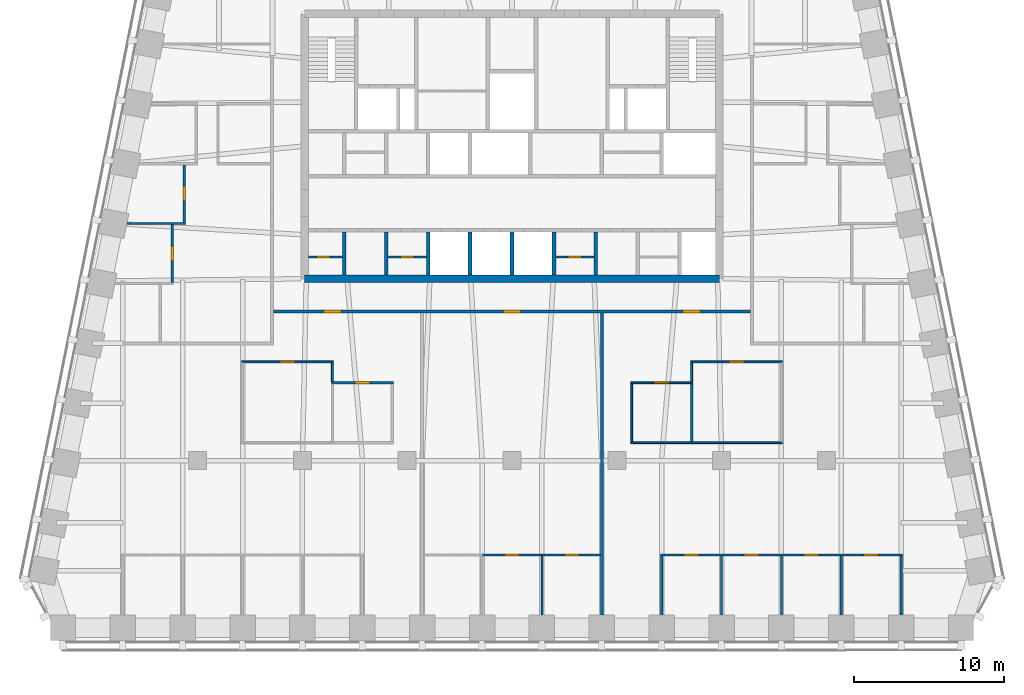
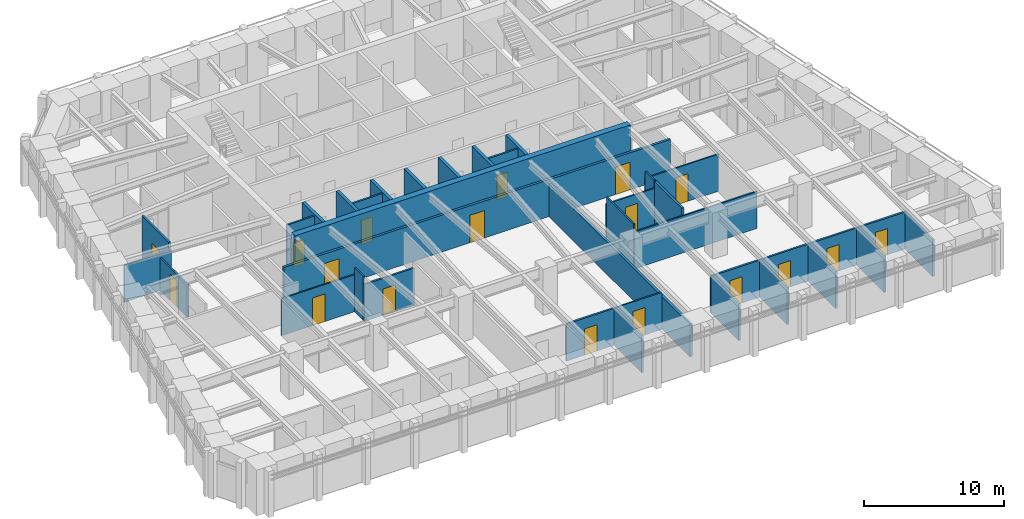
# One storey, part 6 of 11: 34 walls, 18 doors, 18 openings.
"""IFC4 building model written with IfcOpenShell, lengths in metres."""

from ifc_helpers import new_model, si_unit, direction, frame, frame_2d, origin, place, context, subcontext, project, spatial, rectangle, extrude, material, layer, layer_set, type_object, element, fill, save


model = new_model("IFC4")

# Units and contexts
model_context = context("Model", 3, precision=1e-05, world=origin(), true_north=direction((0.0, 1.0)))
body_context = subcontext(model_context, "Body", "Model", "MODEL_VIEW")
ifc_project = project(units=[si_unit("LENGTHUNIT", "METRE"), si_unit("AREAUNIT", "SQUARE_METRE"), si_unit("VOLUMEUNIT", "CUBIC_METRE"), si_unit("PLANEANGLEUNIT", "RADIAN"), si_unit("MASSUNIT", "GRAM", prefix="KILO")], contexts=[model_context])

# Site, building, storey
site_placement = place(None, origin())
site = spatial("IfcSite", under=ifc_project, at=site_placement, CompositionType="ELEMENT")
building_placement = place(site_placement, origin())
building = spatial("IfcBuilding", under=site, at=building_placement, Name="Isbrekke Arena Tower", CompositionType="ELEMENT")
storey_placement = place(building_placement, frame((0.0, 0.0, 248.0)))
storey = spatial("IfcBuildingStorey", under=building, at=storey_placement, Name="L57", CompositionType="ELEMENT", Elevation=248.0)

# Walls
ifc_material_1 = material(Name="Concrete B55 (C55/67)", Category="concrete")
ifc_layer_1 = layer(ifc_material_1, 0.5)
ifc_layer_set_1 = layer_set([ifc_layer_1], Name="CW5 CORE WALL 500")
wall_type_1 = type_object("IfcWallType", Name="CW5 CORE WALL 500", PredefinedType="SHEAR", material=ifc_layer_set_1)
wall_1_placement = place(storey_placement, frame((-13.85009765625, 6.14990234375, 0.0), z_axis=(0.0, 0.0, 1.0), x_axis=(1.0, 0.0, 0.0)))
element("IfcWall", 1, at=wall_1_placement, inside=storey, type_object=wall_type_1, Name="Core wall S L57", PredefinedType="SHEAR", context=body_context, shape_type="SweptSolid", body=[
    extrude(rectangle(XDim=27.7001953125, YDim=0.5, at=frame_2d((13.85009765625, 0.0))), origin(), (0.0, 0.0, 1.0), 4.0),
])
ifc_material_2 = material(Name="Concrete B45 (C45/55)", Category="concrete")
ifc_layer_2 = layer(ifc_material_2, 0.25)
ifc_layer_set_2 = layer_set([ifc_layer_2], Name="CW6 SHAFT WALL 250")
wall_type_2 = type_object("IfcWallType", Name="CW6 SHAFT WALL 250", PredefinedType="SHEAR", material=ifc_layer_set_2)
for number, where, z_axis, x_axis, name in (
    (2, (-11.199951171875, 6.39990234375, 0.0), (0.0, 0.0, 1.0), (0.0, 1.0, 0.0), "Core wall SS01 L57"),
    (3, (-8.39990234375, 6.39990234375, 0.0), (0.0, 0.0, 1.0), (0.0, 1.0, 0.0), "Core wall SS02 L57"),
    (4, (-5.60009765625, 6.39990234375, 0.0), (0.0, 0.0, 1.0), (0.0, 1.0, 0.0), "Core wall SS03 L57"),
    (5, (-2.800048828125, 6.39990234375, 0.0), (0.0, 0.0, 1.0), (0.0, 1.0, 0.0), "Core wall SS04 L57"),
    (6, (0.0, 6.39990234375, 0.0), (0.0, 0.0, 1.0), (0.0, 1.0, 0.0), "Core wall SS05 L57"),
    (7, (2.800048828125, 6.39990234375, 0.0), (0.0, 0.0, 1.0), (0.0, 1.0, 0.0), "Core wall SS06 L57"),
    (8, (5.60009765625, 6.39990234375, 0.0), (0.0, 0.0, 1.0), (0.0, 1.0, 0.0), "Core wall SS07 L57"),
):
    element("IfcWall", number, at=place(storey_placement, frame(where, z_axis=z_axis, x_axis=x_axis)), inside=storey, type_object=wall_type_2, Name=name, PredefinedType="SHEAR", context=body_context, shape_type="SweptSolid", body=[
        extrude(rectangle(XDim=2.875, YDim=0.25, at=frame_2d((1.4375, 0.0))), origin(), (0.0, 0.0, 1.0), 4.0),
    ])

# Wall, opening, door
ifc_material_3 = material(Name="Gypsum board partition on steel studs", Category="steel")
ifc_layer_3 = layer(ifc_material_3, 0.14990234375)
ifc_layer_set_3 = layer_set([ifc_layer_3], Name="IW1 PARTITION 150")
wall_type_3 = type_object("IfcWallType", Name="IW1 PARTITION 150", PredefinedType="PARTITIONING", material=ifc_layer_set_3)
wall_2_placement = place(storey_placement, frame((-2.0, -12.300048828125, 0.0), z_axis=(0.0, 0.0, 1.0), x_axis=(1.0, 0.0, 0.0)))
wall_2 = element("IfcWall", 9, at=wall_2_placement, inside=storey, type_object=wall_type_3, Name="IW1 partition 150 L57", PredefinedType="PARTITIONING", context=body_context, shape_type="SweptSolid", body=[
    extrude(rectangle(XDim=4.0, YDim=0.14990234375, at=frame_2d((2.0, 0.0))), origin(), (0.0, 0.0, 1.0), 3.22998046875),
])
opening_1_placement = place(wall_2_placement, frame((1.5, 0.0, 0.0)))
opening_1 = element("IfcOpeningElement", 10, at=opening_1_placement, cuts=wall_2, Name="Opening D10", PredefinedType="OPENING", context=body_context, shape_type="SweptSolid", body=[
    extrude(rectangle(XDim=1.0, YDim=2.300048828125, at=frame_2d((0.5, 1.14990234375))), frame((0.0, 0.08984375, 0.0), z_axis=(0.0, -1.0, 0.0), x_axis=(1.0, 0.0, 0.0)), (0.0, 0.0, 1.0), 0.1796875),
])
ifc_material_4 = material(Name="Timber door", Category="wood")
door_type_1 = type_object("IfcDoorType", Name="D10 OFFICE DOOR 1000 x 2300", OperationType="SINGLE_SWING_LEFT", PredefinedType="DOOR", material=ifc_material_4)
door_1_placement = place(opening_1_placement, origin())
door_1 = element("IfcDoor", 11, at=door_1_placement, inside=storey, type_object=door_type_1, Name="D10 pantry door L57", OperationType="SINGLE_SWING_LEFT", OverallHeight=2.300048828125, OverallWidth=1.0, PredefinedType="DOOR", context=body_context, shape_type="SweptSolid", body=[
    extrude(rectangle(XDim=1.0, YDim=2.300048828125, at=frame_2d((0.5, 1.14990234375))), frame((0.0, 0.07470703125, 0.0), z_axis=(0.0, -1.0, 0.0), x_axis=(1.0, 0.0, 0.0)), (0.0, 0.0, 1.0), 0.1494140625),
])
fill(opening_1, door_1)

# Wall, openings, doors
wall_3_placement = place(storey_placement, frame((9.925048828125, -12.300048828125, 0.0), z_axis=(0.0, 0.0, 1.0), x_axis=(1.0, 0.0, 0.0)))
wall_3 = element("IfcWall", 12, at=wall_3_placement, inside=storey, type_object=wall_type_3, Name="IW1 partition 150 L57", PredefinedType="PARTITIONING", context=body_context, shape_type="SweptSolid", body=[
    extrude(rectangle(XDim=16.14990234375, YDim=0.14990234375, at=frame_2d((8.074951171875, 0.0))), origin(), (0.0, 0.0, 1.0), 3.22998046875),
])
opening_2_placement = place(wall_3_placement, frame((1.574951171875, 0.0, 0.0)))
opening_2 = element("IfcOpeningElement", 13, at=opening_2_placement, cuts=wall_3, Name="Opening D10", PredefinedType="OPENING", context=body_context, shape_type="SweptSolid", body=[
    extrude(rectangle(XDim=1.0, YDim=2.300048828125, at=frame_2d((0.5, 1.14990234375))), frame((0.0, 0.08984375, 0.0), z_axis=(0.0, -1.0, 0.0), x_axis=(1.0, 0.0, 0.0)), (0.0, 0.0, 1.0), 0.1796875),
])
opening_3_placement = place(wall_3_placement, frame((5.574951171875, 0.0, 0.0)))
opening_3 = element("IfcOpeningElement", 14, at=opening_3_placement, cuts=wall_3, Name="Opening D10", PredefinedType="OPENING", context=body_context, shape_type="SweptSolid", body=[
    extrude(rectangle(XDim=1.0, YDim=2.300048828125, at=frame_2d((0.5, 1.14990234375))), frame((0.0, 0.08984375, 0.0), z_axis=(0.0, -1.0, 0.0), x_axis=(1.0, 0.0, 0.0)), (0.0, 0.0, 1.0), 0.1796875),
])
opening_4_placement = place(wall_3_placement, frame((9.574951171875, 0.0, 0.0)))
opening_4 = element("IfcOpeningElement", 15, at=opening_4_placement, cuts=wall_3, Name="Opening D10", PredefinedType="OPENING", context=body_context, shape_type="SweptSolid", body=[
    extrude(rectangle(XDim=1.0, YDim=2.300048828125, at=frame_2d((0.5, 1.14990234375))), frame((0.0, 0.08984375, 0.0), z_axis=(0.0, -1.0, 0.0), x_axis=(1.0, 0.0, 0.0)), (0.0, 0.0, 1.0), 0.1796875),
])
opening_5_placement = place(wall_3_placement, frame((13.574951171875, 0.0, 0.0)))
opening_5 = element("IfcOpeningElement", 16, at=opening_5_placement, cuts=wall_3, Name="Opening D10", PredefinedType="OPENING", context=body_context, shape_type="SweptSolid", body=[
    extrude(rectangle(XDim=1.0, YDim=2.300048828125, at=frame_2d((0.5, 1.14990234375))), frame((0.0, 0.08984375, 0.0), z_axis=(0.0, -1.0, 0.0), x_axis=(1.0, 0.0, 0.0)), (0.0, 0.0, 1.0), 0.1796875),
])
door_2_placement = place(opening_2_placement, origin())
door_2 = element("IfcDoor", 17, at=door_2_placement, inside=storey, type_object=door_type_1, Name="D10 office door L57", OperationType="SINGLE_SWING_LEFT", OverallHeight=2.300048828125, OverallWidth=1.0, PredefinedType="DOOR", context=body_context, shape_type="SweptSolid", body=[
    extrude(rectangle(XDim=1.0, YDim=2.300048828125, at=frame_2d((0.5, 1.14990234375))), frame((0.0, 0.07470703125, 0.0), z_axis=(0.0, -1.0, 0.0), x_axis=(1.0, 0.0, 0.0)), (0.0, 0.0, 1.0), 0.1494140625),
])
fill(opening_2, door_2)
door_3_placement = place(opening_3_placement, origin())
door_3 = element("IfcDoor", 18, at=door_3_placement, inside=storey, type_object=door_type_1, Name="D10 office door L57", OperationType="SINGLE_SWING_LEFT", OverallHeight=2.300048828125, OverallWidth=1.0, PredefinedType="DOOR", context=body_context, shape_type="SweptSolid", body=[
    extrude(rectangle(XDim=1.0, YDim=2.300048828125, at=frame_2d((0.5, 1.14990234375))), frame((0.0, 0.07470703125, 0.0), z_axis=(0.0, -1.0, 0.0), x_axis=(1.0, 0.0, 0.0)), (0.0, 0.0, 1.0), 0.1494140625),
])
fill(opening_3, door_3)
door_4_placement = place(opening_4_placement, origin())
door_4 = element("IfcDoor", 19, at=door_4_placement, inside=storey, type_object=door_type_1, Name="D10 office door L57", OperationType="SINGLE_SWING_LEFT", OverallHeight=2.300048828125, OverallWidth=1.0, PredefinedType="DOOR", context=body_context, shape_type="SweptSolid", body=[
    extrude(rectangle(XDim=1.0, YDim=2.300048828125, at=frame_2d((0.5, 1.14990234375))), frame((0.0, 0.07470703125, 0.0), z_axis=(0.0, -1.0, 0.0), x_axis=(1.0, 0.0, 0.0)), (0.0, 0.0, 1.0), 0.1494140625),
])
fill(opening_4, door_4)
door_5_placement = place(opening_5_placement, origin())
door_5 = element("IfcDoor", 20, at=door_5_placement, inside=storey, type_object=door_type_1, Name="D10 office door L57", OperationType="SINGLE_SWING_LEFT", OverallHeight=2.300048828125, OverallWidth=1.0, PredefinedType="DOOR", context=body_context, shape_type="SweptSolid", body=[
    extrude(rectangle(XDim=1.0, YDim=2.300048828125, at=frame_2d((0.5, 1.14990234375))), frame((0.0, 0.07470703125, 0.0), z_axis=(0.0, -1.0, 0.0), x_axis=(1.0, 0.0, 0.0)), (0.0, 0.0, 1.0), 0.1494140625),
])
fill(opening_5, door_5)

# Wall, opening, door
wall_4_placement = place(storey_placement, frame((-12.06005859375, -0.800048828125, 0.0), z_axis=(0.0, 0.0, 1.0), x_axis=(1.0, 0.0, 0.0)))
wall_4 = element("IfcWall", 21, at=wall_4_placement, inside=storey, type_object=wall_type_3, Name="IW1 partition 150 L57", PredefinedType="PARTITIONING", context=body_context, shape_type="SweptSolid", body=[
    extrude(rectangle(XDim=4.135009765625, YDim=0.14990234375, at=frame_2d((2.0673828125, 0.0))), origin(), (0.0, 0.0, 1.0), 3.22998046875),
])
opening_6_placement = place(wall_4_placement, frame((1.56005859375, 0.0, 0.0)))
opening_6 = element("IfcOpeningElement", 22, at=opening_6_placement, cuts=wall_4, Name="Opening D10", PredefinedType="OPENING", context=body_context, shape_type="SweptSolid", body=[
    extrude(rectangle(XDim=1.0, YDim=2.300048828125, at=frame_2d((0.5, 1.14990234375))), frame((0.0, 0.08984375, 0.0), z_axis=(0.0, -1.0, 0.0), x_axis=(1.0, 0.0, 0.0)), (0.0, 0.0, 1.0), 0.1796875),
])
door_6_placement = place(opening_6_placement, origin())
door_6 = element("IfcDoor", 23, at=door_6_placement, inside=storey, type_object=door_type_1, Name="D10 tea point door L57", OperationType="SINGLE_SWING_LEFT", OverallHeight=2.300048828125, OverallWidth=1.0, PredefinedType="DOOR", context=body_context, shape_type="SweptSolid", body=[
    extrude(rectangle(XDim=1.0, YDim=2.300048828125, at=frame_2d((0.5, 1.14990234375))), frame((0.0, 0.07470703125, 0.0), z_axis=(0.0, -1.0, 0.0), x_axis=(1.0, 0.0, 0.0)), (0.0, 0.0, 1.0), 0.1494140625),
])
fill(opening_6, door_6)

# Wall
wall_5_placement = place(storey_placement, frame((-25.723876953125, 9.840087890625, 0.0), z_axis=(0.0, 0.0, 1.0), x_axis=(1.0, 0.0, 0.0)))
element("IfcWall", 24, at=wall_5_placement, inside=storey, type_object=wall_type_3, Name="IW1 partition 150 L57", PredefinedType="PARTITIONING", context=body_context, shape_type="SweptSolid", body=[
    extrude(rectangle(XDim=3.89892578125, YDim=0.14990234375, at=frame_2d((1.949462890625, 0.0))), origin(), (0.0, 0.0, 1.0), 3.22998046875),
])

# Wall, opening, door
wall_6_placement = place(storey_placement, frame((-22.699951171875, 5.9150390625, 0.0), z_axis=(0.0, 0.0, 1.0), x_axis=(0.0, 1.0, 0.0)))
wall_6 = element("IfcWall", 25, at=wall_6_placement, inside=storey, type_object=wall_type_3, Name="IW1 partition 150 L57", PredefinedType="PARTITIONING", context=body_context, shape_type="SweptSolid", body=[
    extrude(rectangle(XDim=3.849853515625, YDim=0.14990234375, at=frame_2d((1.9248046875, 0.0))), origin(), (0.0, 0.0, 1.0), 2.842041015625),
])
opening_7_placement = place(wall_6_placement, frame((1.425048828125, 0.0, 0.0)))
opening_7 = element("IfcOpeningElement", 26, at=opening_7_placement, cuts=wall_6, Name="Opening D10", PredefinedType="OPENING", context=body_context, shape_type="SweptSolid", body=[
    extrude(rectangle(XDim=1.0, YDim=2.300048828125, at=frame_2d((0.5, 1.14990234375))), frame((0.0, 0.08984375, 0.0), z_axis=(0.0, -1.0, 0.0), x_axis=(1.0, 0.0, 0.0)), (0.0, 0.0, 1.0), 0.1796875),
])
door_7_placement = place(opening_7_placement, origin())
door_7 = element("IfcDoor", 27, at=door_7_placement, inside=storey, type_object=door_type_1, Name="D10 office door L57", OperationType="SINGLE_SWING_LEFT", OverallHeight=2.300048828125, OverallWidth=1.0, PredefinedType="DOOR", context=body_context, shape_type="SweptSolid", body=[
    extrude(rectangle(XDim=1.0, YDim=2.300048828125, at=frame_2d((0.5, 1.14990234375))), frame((0.0, 0.07470703125, 0.0), z_axis=(0.0, -1.0, 0.0), x_axis=(1.0, 0.0, 0.0)), (0.0, 0.0, 1.0), 0.1494140625),
])
fill(opening_7, door_7)

wall_7_placement = place(storey_placement, frame((-21.89990234375, 9.9150390625, 0.0), z_axis=(0.0, 0.0, 1.0), x_axis=(0.0, 1.0, 0.0)))
wall_7 = element("IfcWall", 28, at=wall_7_placement, inside=storey, type_object=wall_type_3, Name="IW1 partition 150 L57", PredefinedType="PARTITIONING", context=body_context, shape_type="SweptSolid", body=[
    extrude(rectangle(XDim=3.849853515625, YDim=0.14990234375, at=frame_2d((1.9248046875, 0.0))), origin(), (0.0, 0.0, 1.0), 3.85009765625),
])
opening_8_placement = place(wall_7_placement, frame((1.425048828125, 0.0, 0.0)))
opening_8 = element("IfcOpeningElement", 29, at=opening_8_placement, cuts=wall_7, Name="Opening D10", PredefinedType="OPENING", context=body_context, shape_type="SweptSolid", body=[
    extrude(rectangle(XDim=1.0, YDim=2.300048828125, at=frame_2d((0.5, 1.14990234375))), frame((0.0, 0.08984375, 0.0), z_axis=(0.0, -1.0, 0.0), x_axis=(1.0, 0.0, 0.0)), (0.0, 0.0, 1.0), 0.1796875),
])
door_8_placement = place(opening_8_placement, origin())
door_8 = element("IfcDoor", 30, at=door_8_placement, inside=storey, type_object=door_type_1, Name="D10 office door L57", OperationType="SINGLE_SWING_LEFT", OverallHeight=2.300048828125, OverallWidth=1.0, PredefinedType="DOOR", context=body_context, shape_type="SweptSolid", body=[
    extrude(rectangle(XDim=1.0, YDim=2.300048828125, at=frame_2d((0.5, 1.14990234375))), frame((0.0, 0.07470703125, 0.0), z_axis=(0.0, -1.0, 0.0), x_axis=(1.0, 0.0, 0.0)), (0.0, 0.0, 1.0), 0.1494140625),
])
fill(opening_8, door_8)

# Walls
for number, where, z_axis, x_axis, name in (
    (31, (2.0, -16.324951171875, 0.0), (0.0, 0.0, 1.0), (0.0, 1.0, 0.0), "IW1 partition 150 L57"),
    (32, (10.0, -16.324951171875, 0.0), (0.0, 0.0, 1.0), (0.0, 1.0, 0.0), "IW1 partition 150 L57"),
    (33, (14.0, -16.324951171875, 0.0), (0.0, 0.0, 1.0), (0.0, 1.0, 0.0), "IW1 partition 150 L57"),
    (34, (18.0, -16.324951171875, 0.0), (0.0, 0.0, 1.0), (0.0, 1.0, 0.0), "IW1 partition 150 L57"),
    (35, (22.0, -16.324951171875, 0.0), (0.0, 0.0, 1.0), (0.0, 1.0, 0.0), "IW1 partition 150 L57"),
    (36, (26.0, -16.324951171875, 0.0), (0.0, 0.0, 1.0), (0.0, 1.0, 0.0), "IW1 partition 150 L57"),
):
    element("IfcWall", number, at=place(storey_placement, frame(where, z_axis=z_axis, x_axis=x_axis)), inside=storey, type_object=wall_type_3, Name=name, PredefinedType="PARTITIONING", context=body_context, shape_type="SweptSolid", body=[
        extrude(rectangle(XDim=3.949951171875, YDim=0.14990234375, at=frame_2d((1.97509765625, 0.0))), origin(), (0.0, 0.0, 1.0), 3.22998046875),
    ])

# Wall, opening, door
ifc_material_5 = material(Name="Frameless glazed partition, laminated acoustic glass", Category="glass")
ifc_layer_4 = layer(ifc_material_5, 0.1201171875)
ifc_layer_set_4 = layer_set([ifc_layer_4], Name="IW2 GLAZED PARTITION 120")
wall_type_4 = type_object("IfcWallType", Name="IW2 GLAZED PARTITION 120", PredefinedType="PARTITIONING", material=ifc_layer_set_4)
wall_8_placement = place(storey_placement, frame((2.0, -12.300048828125, 0.0), z_axis=(0.0, 0.0, 1.0), x_axis=(1.0, 0.0, 0.0)))
wall_8 = element("IfcWall", 37, at=wall_8_placement, inside=storey, type_object=wall_type_4, Name="IW2 glazed partition 120 L57", PredefinedType="PARTITIONING", context=body_context, shape_type="SweptSolid", body=[
    extrude(rectangle(XDim=3.89990234375, YDim=0.1201171875, at=frame_2d((1.949951171875, 0.0))), origin(), (0.0, 0.0, 1.0), 3.22998046875),
])
opening_9_placement = place(wall_8_placement, frame((1.5, 0.0, 0.0)))
opening_9 = element("IfcOpeningElement", 38, at=opening_9_placement, cuts=wall_8, Name="Opening D11", PredefinedType="OPENING", context=body_context, shape_type="SweptSolid", body=[
    extrude(rectangle(XDim=1.0, YDim=2.39990234375, at=frame_2d((0.5, 1.199951171875))), frame((0.0, 0.074951171875, 0.0), z_axis=(0.0, -1.0, 0.0), x_axis=(1.0, 0.0, 0.0)), (0.0, 0.0, 1.0), 0.14990234375),
])
ifc_material_6 = material(Name="Frameless glazed door", Category="glass")
door_type_2 = type_object("IfcDoorType", Name="D11 GLAZED MEETING ROOM DOOR 1000 x 2400", OperationType="SINGLE_SWING_RIGHT", PredefinedType="DOOR", material=ifc_material_6)
door_9_placement = place(opening_9_placement, origin())
door_9 = element("IfcDoor", 39, at=door_9_placement, inside=storey, type_object=door_type_2, Name="D11 meeting room door L57", OperationType="SINGLE_SWING_RIGHT", OverallHeight=2.39990234375, OverallWidth=1.0, PredefinedType="DOOR", context=body_context, shape_type="SweptSolid", body=[
    extrude(rectangle(XDim=1.0, YDim=2.39990234375, at=frame_2d((0.5, 1.199951171875))), frame((0.0, 0.059814453125, 0.0), z_axis=(0.0, -1.0, 0.0), x_axis=(1.0, 0.0, 0.0)), (0.0, 0.0, 1.0), 0.11962890625),
])
fill(opening_9, door_9)

# Wall
wall_9_placement = place(storey_placement, frame((7.93994140625, -4.800048828125, 0.0), z_axis=(0.0, 0.0, 1.0), x_axis=(1.0, 0.0, 0.0)))
element("IfcWall", 40, at=wall_9_placement, inside=storey, type_object=wall_type_4, Name="IW2 glazed partition 120 L57", PredefinedType="PARTITIONING", context=body_context, shape_type="SweptSolid", body=[
    extrude(rectangle(XDim=10.1201171875, YDim=0.1201171875, at=frame_2d((5.06005859375, 0.0))), origin(), (0.0, 0.0, 1.0), 3.22998046875),
])

# Wall, opening, door
wall_10_placement = place(storey_placement, frame((7.93994140625, -0.800048828125, 0.0), z_axis=(0.0, 0.0, 1.0), x_axis=(1.0, 0.0, 0.0)))
wall_10 = element("IfcWall", 41, at=wall_10_placement, inside=storey, type_object=wall_type_4, Name="IW2 glazed partition 120 L57", PredefinedType="PARTITIONING", context=body_context, shape_type="SweptSolid", body=[
    extrude(rectangle(XDim=4.1201171875, YDim=0.1201171875, at=frame_2d((2.06005859375, 0.0))), origin(), (0.0, 0.0, 1.0), 3.22998046875),
])
opening_10_placement = place(wall_10_placement, frame((1.56005859375, 0.0, 0.0)))
opening_10 = element("IfcOpeningElement", 42, at=opening_10_placement, cuts=wall_10, Name="Opening D11", PredefinedType="OPENING", context=body_context, shape_type="SweptSolid", body=[
    extrude(rectangle(XDim=1.0, YDim=2.39990234375, at=frame_2d((0.5, 1.199951171875))), frame((0.0, 0.074951171875, 0.0), z_axis=(0.0, -1.0, 0.0), x_axis=(1.0, 0.0, 0.0)), (0.0, 0.0, 1.0), 0.14990234375),
])
door_10_placement = place(opening_10_placement, origin())
door_10 = element("IfcDoor", 43, at=door_10_placement, inside=storey, type_object=door_type_2, Name="D11 quiet room door L57", OperationType="SINGLE_SWING_RIGHT", OverallHeight=2.39990234375, OverallWidth=1.0, PredefinedType="DOOR", context=body_context, shape_type="SweptSolid", body=[
    extrude(rectangle(XDim=1.0, YDim=2.39990234375, at=frame_2d((0.5, 1.199951171875))), frame((0.0, 0.059814453125, 0.0), z_axis=(0.0, -1.0, 0.0), x_axis=(1.0, 0.0, 0.0)), (0.0, 0.0, 1.0), 0.11962890625),
])
fill(opening_10, door_10)

wall_11_placement = place(storey_placement, frame((-18.06005859375, 0.60009765625, 0.0), z_axis=(0.0, 0.0, 1.0), x_axis=(1.0, 0.0, 0.0)))
wall_11 = element("IfcWall", 44, at=wall_11_placement, inside=storey, type_object=wall_type_4, Name="IW2 glazed partition 120 L57", PredefinedType="PARTITIONING", context=body_context, shape_type="SweptSolid", body=[
    extrude(rectangle(XDim=6.1201171875, YDim=0.1201171875, at=frame_2d((3.06005859375, 0.0))), origin(), (0.0, 0.0, 1.0), 3.22998046875),
])
opening_11_placement = place(wall_11_placement, frame((2.56005859375, 0.0, 0.0)))
opening_11 = element("IfcOpeningElement", 45, at=opening_11_placement, cuts=wall_11, Name="Opening D11", PredefinedType="OPENING", context=body_context, shape_type="SweptSolid", body=[
    extrude(rectangle(XDim=1.0, YDim=2.39990234375, at=frame_2d((0.5, 1.199951171875))), frame((0.0, 0.074951171875, 0.0), z_axis=(0.0, -1.0, 0.0), x_axis=(1.0, 0.0, 0.0)), (0.0, 0.0, 1.0), 0.14990234375),
])
door_11_placement = place(opening_11_placement, origin())
door_11 = element("IfcDoor", 46, at=door_11_placement, inside=storey, type_object=door_type_2, Name="D11 meeting room door L57", OperationType="SINGLE_SWING_RIGHT", OverallHeight=2.39990234375, OverallWidth=1.0, PredefinedType="DOOR", context=body_context, shape_type="SweptSolid", body=[
    extrude(rectangle(XDim=1.0, YDim=2.39990234375, at=frame_2d((0.5, 1.199951171875))), frame((0.0, 0.059814453125, 0.0), z_axis=(0.0, -1.0, 0.0), x_axis=(1.0, 0.0, 0.0)), (0.0, 0.0, 1.0), 0.11962890625),
])
fill(opening_11, door_11)

wall_12_placement = place(storey_placement, frame((11.93994140625, 0.60009765625, 0.0), z_axis=(0.0, 0.0, 1.0), x_axis=(1.0, 0.0, 0.0)))
wall_12 = element("IfcWall", 47, at=wall_12_placement, inside=storey, type_object=wall_type_4, Name="IW2 glazed partition 120 L57", PredefinedType="PARTITIONING", context=body_context, shape_type="SweptSolid", body=[
    extrude(rectangle(XDim=6.1201171875, YDim=0.1201171875, at=frame_2d((3.06005859375, 0.0))), origin(), (0.0, 0.0, 1.0), 3.22998046875),
])
opening_12_placement = place(wall_12_placement, frame((2.56005859375, 0.0, 0.0)))
opening_12 = element("IfcOpeningElement", 48, at=opening_12_placement, cuts=wall_12, Name="Opening D11", PredefinedType="OPENING", context=body_context, shape_type="SweptSolid", body=[
    extrude(rectangle(XDim=1.0, YDim=2.39990234375, at=frame_2d((0.5, 1.199951171875))), frame((0.0, 0.074951171875, 0.0), z_axis=(0.0, -1.0, 0.0), x_axis=(1.0, 0.0, 0.0)), (0.0, 0.0, 1.0), 0.14990234375),
])
door_12_placement = place(opening_12_placement, origin())
door_12 = element("IfcDoor", 49, at=door_12_placement, inside=storey, type_object=door_type_2, Name="D11 meeting room door L57", OperationType="SINGLE_SWING_RIGHT", OverallHeight=2.39990234375, OverallWidth=1.0, PredefinedType="DOOR", context=body_context, shape_type="SweptSolid", body=[
    extrude(rectangle(XDim=1.0, YDim=2.39990234375, at=frame_2d((0.5, 1.199951171875))), frame((0.0, 0.059814453125, 0.0), z_axis=(0.0, -1.0, 0.0), x_axis=(1.0, 0.0, 0.0)), (0.0, 0.0, 1.0), 0.11962890625),
])
fill(opening_12, door_12)

# Walls
wall_13_placement = place(storey_placement, frame((-12.0, -0.72509765625, 0.0), z_axis=(0.0, 0.0, 1.0), x_axis=(0.0, 1.0, 0.0)))
element("IfcWall", 50, at=wall_13_placement, inside=storey, type_object=wall_type_4, Name="IW2 glazed partition 120 L57", PredefinedType="PARTITIONING", context=body_context, shape_type="SweptSolid", body=[
    extrude(rectangle(XDim=1.26513671875, YDim=0.1201171875, at=frame_2d((0.632568359375, 0.0))), origin(), (0.0, 0.0, 1.0), 3.85009765625),
])
wall_14_placement = place(storey_placement, frame((8.0, -4.739990234375, 0.0), z_axis=(0.0, 0.0, 1.0), x_axis=(0.0, 1.0, 0.0)))
element("IfcWall", 51, at=wall_14_placement, inside=storey, type_object=wall_type_4, Name="IW2 glazed partition 120 L57", PredefinedType="PARTITIONING", context=body_context, shape_type="SweptSolid", body=[
    extrude(rectangle(XDim=3.8798828125, YDim=0.1201171875, at=frame_2d((1.93994140625, 0.0))), origin(), (0.0, 0.0, 1.0), 3.85009765625),
])
wall_15_placement = place(storey_placement, frame((12.0, -0.739990234375, 0.0), z_axis=(0.0, 0.0, 1.0), x_axis=(0.0, 1.0, 0.0)))
element("IfcWall", 52, at=wall_15_placement, inside=storey, type_object=wall_type_4, Name="IW2 glazed partition 120 L57", PredefinedType="PARTITIONING", context=body_context, shape_type="SweptSolid", body=[
    extrude(rectangle(XDim=1.280029296875, YDim=0.1201171875, at=frame_2d((0.64013671875, 0.0))), origin(), (0.0, 0.0, 1.0), 3.85009765625),
])

# Wall, openings, doors
ifc_material_7 = material(Name="Gypsum board fire-cell wall on steel studs, two layers each side", Category="steel")
ifc_layer_5 = layer(ifc_material_7, 0.199951171875)
ifc_layer_set_5 = layer_set([ifc_layer_5], Name="IW3 FIRE-CELL WALL 200")
wall_type_5 = type_object("IfcWallType", Name="IW3 FIRE-CELL WALL 200", PredefinedType="PARTITIONING", material=ifc_layer_set_5)
wall_16_placement = place(storey_placement, frame((-15.949951171875, 3.949951171875, 0.0), z_axis=(0.0, 0.0, 1.0), x_axis=(1.0, 0.0, 0.0)))
wall_16 = element("IfcWall", 53, at=wall_16_placement, inside=storey, type_object=wall_type_5, Name="IW3 fire-cell wall 200 L57", PredefinedType="PARTITIONING", context=body_context, shape_type="SweptSolid", body=[
    extrude(rectangle(XDim=31.89990234375, YDim=0.199951171875, at=frame_2d((15.949951171875, 0.0))), origin(), (0.0, 0.0, 1.0), 3.22998046875),
])
opening_13_placement = place(wall_16_placement, frame((3.35009765625, 0.0, 0.0)))
opening_13 = element("IfcOpeningElement", 54, at=opening_13_placement, cuts=wall_16, Name="Opening D12", PredefinedType="OPENING", context=body_context, shape_type="SweptSolid", body=[
    extrude(rectangle(XDim=1.199951171875, YDim=2.39990234375, at=frame_2d((0.60009765625, 1.199951171875))), frame((0.0, 0.11474609375, 0.0), z_axis=(0.0, -1.0, 0.0), x_axis=(1.0, 0.0, 0.0)), (0.0, 0.0, 1.0), 0.229736328125),
])
opening_14_placement = place(wall_16_placement, frame((27.35009765625, 0.0, 0.0)))
opening_14 = element("IfcOpeningElement", 55, at=opening_14_placement, cuts=wall_16, Name="Opening D12", PredefinedType="OPENING", context=body_context, shape_type="SweptSolid", body=[
    extrude(rectangle(XDim=1.199951171875, YDim=2.39990234375, at=frame_2d((0.60009765625, 1.199951171875))), frame((0.0, 0.11474609375, 0.0), z_axis=(0.0, -1.0, 0.0), x_axis=(1.0, 0.0, 0.0)), (0.0, 0.0, 1.0), 0.229736328125),
])
opening_15_placement = place(wall_16_placement, frame((15.35009765625, 0.0, 0.0)))
opening_15 = element("IfcOpeningElement", 56, at=opening_15_placement, cuts=wall_16, Name="Opening D12", PredefinedType="OPENING", context=body_context, shape_type="SweptSolid", body=[
    extrude(rectangle(XDim=1.199951171875, YDim=2.39990234375, at=frame_2d((0.60009765625, 1.199951171875))), frame((0.0, 0.11474609375, 0.0), z_axis=(0.0, -1.0, 0.0), x_axis=(1.0, 0.0, 0.0)), (0.0, 0.0, 1.0), 0.229736328125),
])
ifc_material_8 = material(Name="Timber fire door with vision panel", Category="wood")
door_type_3 = type_object("IfcDoorType", Name="D12 SUITE ENTRANCE DOOR 1200 x 2400", OperationType="SINGLE_SWING_LEFT", PredefinedType="DOOR", material=ifc_material_8)
door_13_placement = place(opening_13_placement, origin())
door_13 = element("IfcDoor", 57, at=door_13_placement, inside=storey, type_object=door_type_3, Name="D12 suite entrance SW door L57", OperationType="SINGLE_SWING_LEFT", OverallHeight=2.39990234375, OverallWidth=1.199951171875, PredefinedType="DOOR", context=body_context, shape_type="SweptSolid", body=[
    extrude(rectangle(XDim=1.199951171875, YDim=2.39990234375, at=frame_2d((0.60009765625, 1.199951171875))), frame((0.0, 0.099609375, 0.0), z_axis=(0.0, -1.0, 0.0), x_axis=(1.0, 0.0, 0.0)), (0.0, 0.0, 1.0), 0.199462890625),
])
fill(opening_13, door_13)
door_14_placement = place(opening_14_placement, origin())
door_14 = element("IfcDoor", 58, at=door_14_placement, inside=storey, type_object=door_type_3, Name="D12 suite entrance SE door L57", OperationType="SINGLE_SWING_LEFT", OverallHeight=2.39990234375, OverallWidth=1.199951171875, PredefinedType="DOOR", context=body_context, shape_type="SweptSolid", body=[
    extrude(rectangle(XDim=1.199951171875, YDim=2.39990234375, at=frame_2d((0.60009765625, 1.199951171875))), frame((0.0, 0.099609375, 0.0), z_axis=(0.0, -1.0, 0.0), x_axis=(1.0, 0.0, 0.0)), (0.0, 0.0, 1.0), 0.199462890625),
])
fill(opening_14, door_14)
door_15_placement = place(opening_15_placement, origin())
door_15 = element("IfcDoor", 59, at=door_15_placement, inside=storey, type_object=door_type_3, Name="D12 suite entrance S door L57", OperationType="SINGLE_SWING_LEFT", OverallHeight=2.39990234375, OverallWidth=1.199951171875, PredefinedType="DOOR", context=body_context, shape_type="SweptSolid", body=[
    extrude(rectangle(XDim=1.199951171875, YDim=2.39990234375, at=frame_2d((0.60009765625, 1.199951171875))), frame((0.0, 0.099609375, 0.0), z_axis=(0.0, -1.0, 0.0), x_axis=(1.0, 0.0, 0.0)), (0.0, 0.0, 1.0), 0.199462890625),
])
fill(opening_15, door_15)

# Walls
wall_17_placement = place(storey_placement, frame((6.0, -16.324951171875, 0.0), z_axis=(0.0, 0.0, 1.0), x_axis=(0.0, 1.0, 0.0)))
element("IfcWall", 60, at=wall_17_placement, inside=storey, type_object=wall_type_5, Name="IW3 fire-cell wall 200 L57", PredefinedType="PARTITIONING", context=body_context, shape_type="SweptSolid", body=[
    extrude(rectangle(XDim=20.175048828125, YDim=0.199951171875, at=frame_2d((10.08740234375, 0.0))), origin(), (0.0, 0.0, 1.0), 2.842041015625),
])
ifc_material_9 = material(Name="Gypsum board acoustic partition on twin steel studs", Category="steel")
ifc_layer_6 = layer(ifc_material_9, 0.175048828125)
ifc_layer_set_6 = layer_set([ifc_layer_6], Name="IW4 ACOUSTIC PARTITION 175")
wall_type_6 = type_object("IfcWallType", Name="IW4 ACOUSTIC PARTITION 175", PredefinedType="PARTITIONING", material=ifc_layer_set_6)
wall_18_placement = place(storey_placement, frame((12.0, -4.739990234375, 0.0), z_axis=(0.0, 0.0, 1.0), x_axis=(0.0, 1.0, 0.0)))
element("IfcWall", 61, at=wall_18_placement, inside=storey, type_object=wall_type_6, Name="IW4 acoustic partition 175 L57", PredefinedType="PARTITIONING", context=body_context, shape_type="SweptSolid", body=[
    extrude(rectangle(XDim=3.8798828125, YDim=0.175048828125, at=frame_2d((1.93994140625, 0.0))), origin(), (0.0, 0.0, 1.0), 3.85009765625),
])

# Wall, opening, door
ifc_material_10 = material(Name="Gypsum board fire-rated partition on steel studs, two layers each side", Category="steel")
ifc_layer_7 = layer(ifc_material_10, 0.14990234375)
ifc_layer_set_7 = layer_set([ifc_layer_7], Name="IW5 FIRE-RATED PARTITION 150")
wall_type_7 = type_object("IfcWallType", Name="IW5 FIRE-RATED PARTITION 150", PredefinedType="PARTITIONING", material=ifc_layer_set_7)
wall_19_placement = place(storey_placement, frame((-13.60009765625, 7.60009765625, 0.0), z_axis=(0.0, 0.0, 1.0), x_axis=(1.0, 0.0, 0.0)))
wall_19 = element("IfcWall", 62, at=wall_19_placement, inside=storey, type_object=wall_type_7, Name="IW5 fire-rated partition L57 core service rooms 3", PredefinedType="PARTITIONING", context=body_context, shape_type="SweptSolid", body=[
    extrude(rectangle(XDim=2.275146484375, YDim=0.14990234375, at=frame_2d((1.1376953125, 0.0))), origin(), (0.0, 0.0, 1.0), 3.85009765625),
])
opening_16_placement = place(wall_19_placement, frame((0.550048828125, 0.0, 0.0)))
opening_16 = element("IfcOpeningElement", 63, at=opening_16_placement, cuts=wall_19, Name="Opening D5", PredefinedType="OPENING", context=body_context, shape_type="SweptSolid", body=[
    extrude(rectangle(XDim=0.89990234375, YDim=2.10009765625, at=frame_2d((0.449951171875, 1.050048828125))), frame((0.0, 0.08984375, 0.0), z_axis=(0.0, -1.0, 0.0), x_axis=(1.0, 0.0, 0.0)), (0.0, 0.0, 1.0), 0.1796875),
])
ifc_material_11 = material(Name="Steel fire door", Category="steel")
door_type_4 = type_object("IfcDoorType", Name="D5 SERVICE DOOR 900 x 2100", OperationType="SINGLE_SWING_LEFT", PredefinedType="DOOR", material=ifc_material_11)
door_16_placement = place(opening_16_placement, origin())
door_16 = element("IfcDoor", 64, at=door_16_placement, inside=storey, type_object=door_type_4, Name="D5 store door L57", OperationType="SINGLE_SWING_LEFT", OverallHeight=2.10009765625, OverallWidth=0.89990234375, PredefinedType="DOOR", context=body_context, shape_type="SweptSolid", body=[
    extrude(rectangle(XDim=0.89990234375, YDim=2.10009765625, at=frame_2d((0.449951171875, 1.050048828125))), frame((0.0, 0.07470703125, 0.0), z_axis=(0.0, -1.0, 0.0), x_axis=(1.0, 0.0, 0.0)), (0.0, 0.0, 1.0), 0.1494140625),
])
fill(opening_16, door_16)

wall_20_placement = place(storey_placement, frame((-8.27490234375, 7.60009765625, 0.0), z_axis=(0.0, 0.0, 1.0), x_axis=(1.0, 0.0, 0.0)))
wall_20 = element("IfcWall", 65, at=wall_20_placement, inside=storey, type_object=wall_type_7, Name="IW5 fire-rated partition L57 core service rooms 4", PredefinedType="PARTITIONING", context=body_context, shape_type="SweptSolid", body=[
    extrude(rectangle(XDim=2.5498046875, YDim=0.14990234375, at=frame_2d((1.27490234375, 0.0))), origin(), (0.0, 0.0, 1.0), 3.85009765625),
])
opening_17_placement = place(wall_20_placement, frame((0.824951171875, 0.0, 0.0)))
opening_17 = element("IfcOpeningElement", 66, at=opening_17_placement, cuts=wall_20, Name="Opening D5", PredefinedType="OPENING", context=body_context, shape_type="SweptSolid", body=[
    extrude(rectangle(XDim=0.89990234375, YDim=2.10009765625, at=frame_2d((0.449951171875, 1.050048828125))), frame((0.0, 0.08984375, 0.0), z_axis=(0.0, -1.0, 0.0), x_axis=(1.0, 0.0, 0.0)), (0.0, 0.0, 1.0), 0.1796875),
])
door_17_placement = place(opening_17_placement, origin())
door_17 = element("IfcDoor", 67, at=door_17_placement, inside=storey, type_object=door_type_4, Name="D5 archive door L57", OperationType="SINGLE_SWING_LEFT", OverallHeight=2.10009765625, OverallWidth=0.89990234375, PredefinedType="DOOR", context=body_context, shape_type="SweptSolid", body=[
    extrude(rectangle(XDim=0.89990234375, YDim=2.10009765625, at=frame_2d((0.449951171875, 1.050048828125))), frame((0.0, 0.07470703125, 0.0), z_axis=(0.0, -1.0, 0.0), x_axis=(1.0, 0.0, 0.0)), (0.0, 0.0, 1.0), 0.1494140625),
])
fill(opening_17, door_17)

wall_21_placement = place(storey_placement, frame((2.925048828125, 7.60009765625, 0.0), z_axis=(0.0, 0.0, 1.0), x_axis=(1.0, 0.0, 0.0)))
wall_21 = element("IfcWall", 68, at=wall_21_placement, inside=storey, type_object=wall_type_7, Name="IW5 fire-rated partition L57 core service rooms 5", PredefinedType="PARTITIONING", context=body_context, shape_type="SweptSolid", body=[
    extrude(rectangle(XDim=2.550048828125, YDim=0.14990234375, at=frame_2d((1.27490234375, 0.0))), origin(), (0.0, 0.0, 1.0), 3.85009765625),
])
opening_18_placement = place(wall_21_placement, frame((0.824951171875, 0.0, 0.0)))
opening_18 = element("IfcOpeningElement", 69, at=opening_18_placement, cuts=wall_21, Name="Opening D5", PredefinedType="OPENING", context=body_context, shape_type="SweptSolid", body=[
    extrude(rectangle(XDim=0.89990234375, YDim=2.10009765625, at=frame_2d((0.449951171875, 1.050048828125))), frame((0.0, 0.08984375, 0.0), z_axis=(0.0, -1.0, 0.0), x_axis=(1.0, 0.0, 0.0)), (0.0, 0.0, 1.0), 0.1796875),
])
door_18_placement = place(opening_18_placement, origin())
door_18 = element("IfcDoor", 70, at=door_18_placement, inside=storey, type_object=door_type_4, Name="D5 store door L57", OperationType="SINGLE_SWING_LEFT", OverallHeight=2.10009765625, OverallWidth=0.89990234375, PredefinedType="DOOR", context=body_context, shape_type="SweptSolid", body=[
    extrude(rectangle(XDim=0.89990234375, YDim=2.10009765625, at=frame_2d((0.449951171875, 1.050048828125))), frame((0.0, 0.07470703125, 0.0), z_axis=(0.0, -1.0, 0.0), x_axis=(1.0, 0.0, 0.0)), (0.0, 0.0, 1.0), 0.1494140625),
])
fill(opening_18, door_18)

save(model, "model.ifc")
